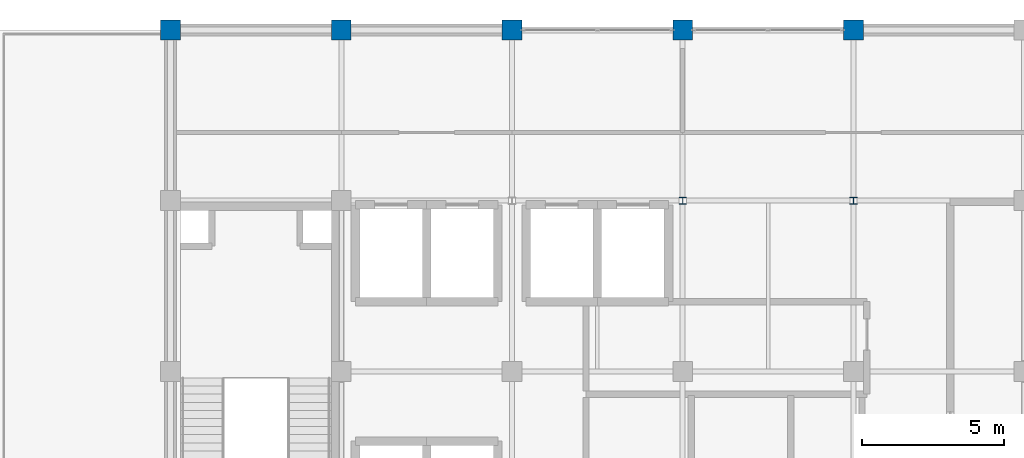
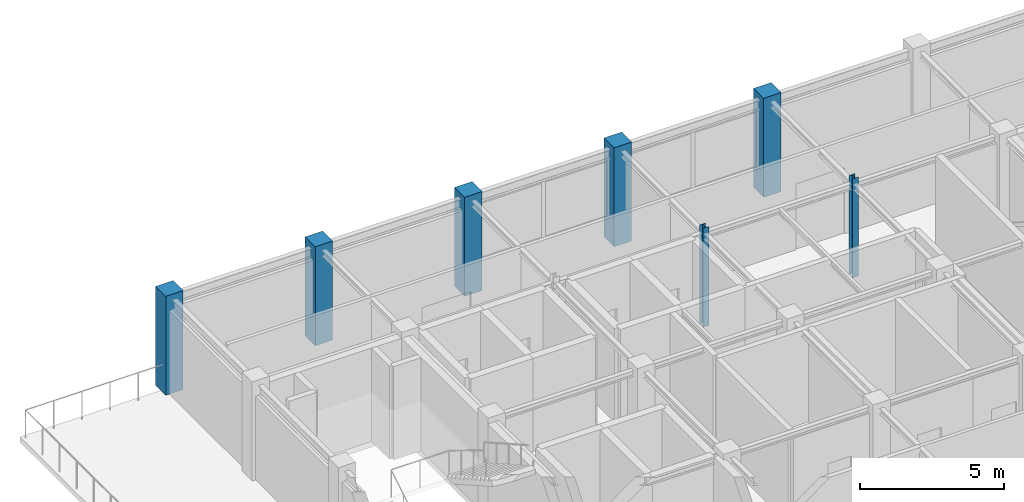
# One storey, part 2 of 14: 7 columns.
"""IFC4 building model written with IfcOpenShell, lengths in metres."""

from ifc_helpers import new_model, si_unit, direction, frame, origin, origin_2d, place, context, subcontext, project, spatial, rectangle, i_section, extrude, material, material_profile, profile_set, type_object, element, save


model = new_model("IFC4")

# Units and contexts
model_context = context("Model", 3, precision=1e-05, world=origin(), true_north=direction((0.0, 1.0)))
body_context = subcontext(model_context, "Body", "Model", "MODEL_VIEW")
ifc_project = project(units=[si_unit("LENGTHUNIT", "METRE"), si_unit("AREAUNIT", "SQUARE_METRE"), si_unit("VOLUMEUNIT", "CUBIC_METRE"), si_unit("PLANEANGLEUNIT", "RADIAN"), si_unit("MASSUNIT", "GRAM", prefix="KILO")], contexts=[model_context])

# Site, building, storey
site_placement = place(None, origin())
site = spatial("IfcSite", under=ifc_project, at=site_placement, CompositionType="ELEMENT")
building_placement = place(site_placement, origin())
building = spatial("IfcBuilding", under=site, at=building_placement, Name="Zlatovratsky Civic Hall", CompositionType="ELEMENT")
storey_placement = place(building_placement, frame((0.0, 0.0, 67.800048828125)))
storey = spatial("IfcBuildingStorey", under=building, at=storey_placement, Name="L17", CompositionType="ELEMENT", Elevation=67.800048828125)

# Columns
ifc_material_1 = material(Name="Concrete C35/45 (B40)", Category="concrete")
ifc_material_profile_1 = material_profile(ifc_material_1, rectangle(XDim=0.699951171875, YDim=0.699951171875, at=origin_2d()), Name="RC 700x700")
ifc_profile_set_1 = profile_set([ifc_material_profile_1], Name="Concrete C35/45 (B40)")
column_type_1 = type_object("IfcColumnType", Name="Col_CorePier_RC700", PredefinedType="COLUMN", material=ifc_profile_set_1)
for number, where, z_axis, x_axis, name in (
    (1, (66.0, 102.0, 0.0), (0.0, 0.0, 1.0), (1.0, 0.0, 0.0), "CL-2673"),
    (2, (72.0, 102.0, 0.0), (0.0, 0.0, 1.0), (1.0, 0.0, 0.0), "CL-2674"),
    (3, (78.0, 102.0, 0.0), (0.0, 0.0, 1.0), (1.0, 0.0, 0.0), "CL-2675"),
    (4, (84.0, 102.0, 0.0), (0.0, 0.0, 1.0), (1.0, 0.0, 0.0), "CL-2676"),
    (5, (90.0, 102.0, 0.0), (0.0, 0.0, 1.0), (1.0, 0.0, 0.0), "CL-2677"),
):
    element("IfcColumn", number, at=place(storey_placement, frame(where, z_axis=z_axis, x_axis=x_axis)), inside=storey, type_object=column_type_1, Name=name, PredefinedType="COLUMN", context=body_context, shape_type="SweptSolid", body=[
        extrude(rectangle(XDim=0.699951171875, YDim=0.699951171875, at=origin_2d()), origin(), (0.0, 0.0, 1.0), 4.199951171875),
    ])
ifc_material_2 = material(Name="Steel S355", Category="steel")
ifc_material_profile_2 = material_profile(ifc_material_2, i_section(OverallWidth=0.25, OverallDepth=0.25, WebThickness=0.009033203125, FlangeThickness=0.013916015625, FilletRadius=0.01611328125, at=origin_2d()), Name="25K2")
ifc_profile_set_2 = profile_set([ifc_material_profile_2], Name="Steel S355")
column_type_2 = type_object("IfcColumnType", Name="Col_Steel_25K2", PredefinedType="COLUMN", material=ifc_profile_set_2)
for number, where, z_axis, x_axis, name in (
    (6, (84.0, 96.0, 0.0), (0.0, 0.0, 1.0), (1.0, 0.0, 0.0), "CL-2669"),
    (7, (90.0, 96.0, 0.0), (0.0, 0.0, 1.0), (1.0, 0.0, 0.0), "CL-2670"),
):
    element("IfcColumn", number, at=place(storey_placement, frame(where, z_axis=z_axis, x_axis=x_axis)), inside=storey, type_object=column_type_2, Name=name, PredefinedType="COLUMN", context=body_context, shape_type="SweptSolid", body=[
        extrude(i_section(OverallWidth=0.25, OverallDepth=0.25, WebThickness=0.009033203125, FlangeThickness=0.013916015625, FilletRadius=0.01611328125, at=origin_2d()), origin(), (0.0, 0.0, 1.0), 4.199951171875),
    ])

save(model, "model.ifc")
